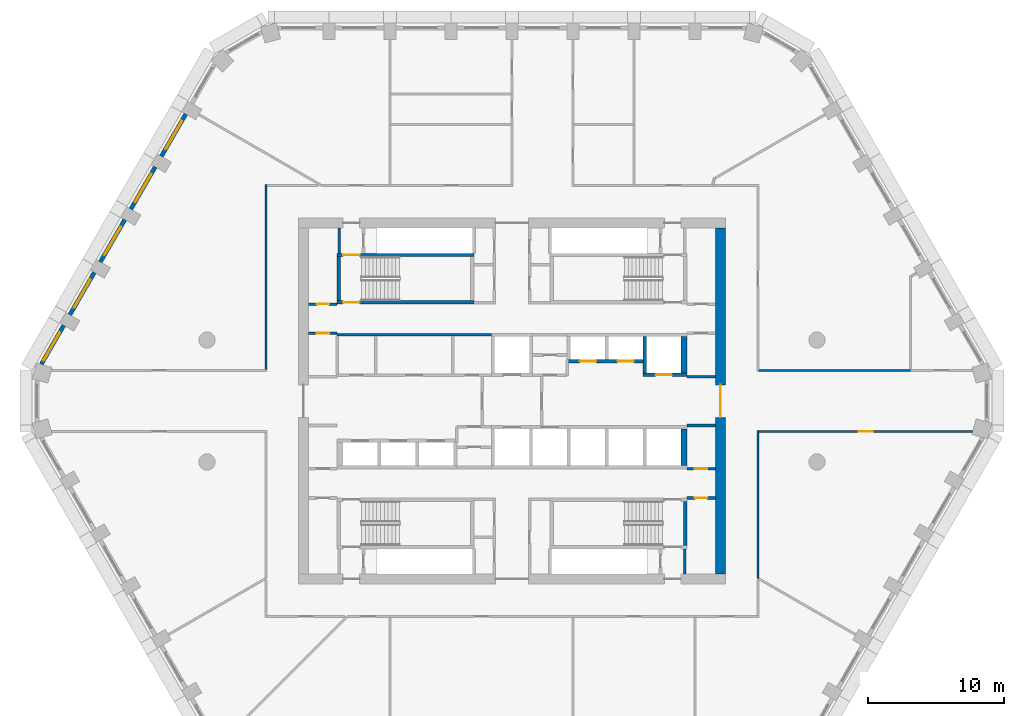
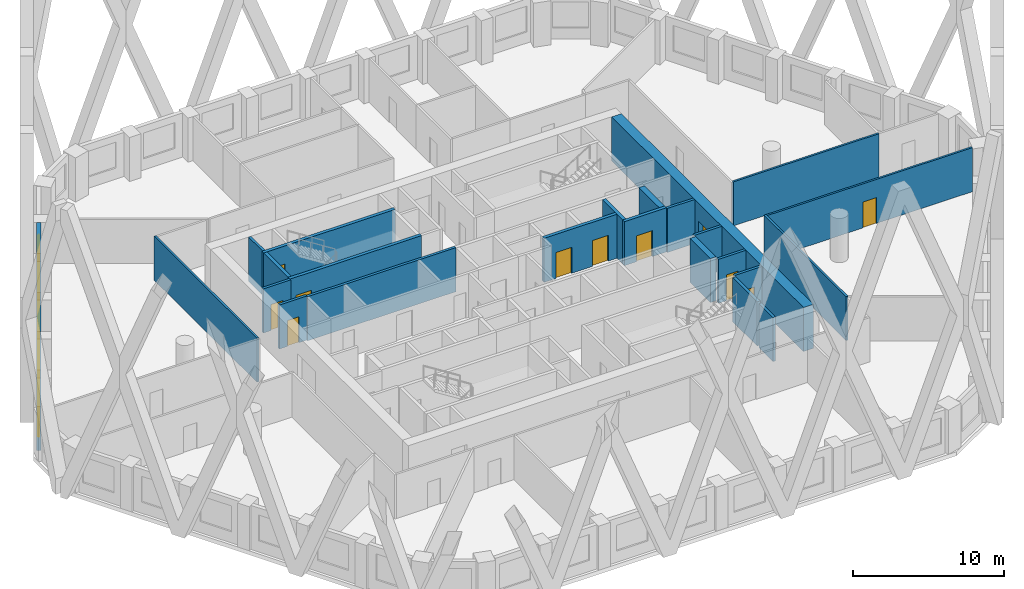
# One storey, part 5 of 17: 28 walls, 11 doors, 5 windows, 16 openings.
"""IFC4 building model written with IfcOpenShell, lengths in metres."""

from ifc_helpers import new_model, si_unit, direction, frame, frame_2d, origin, place, context, subcontext, project, spatial, polyline, rectangle, outline, extrude, material, layer, layer_set, type_object, element, fill, save


model = new_model("IFC4")

# Units and contexts
model_context = context("Model", 3, precision=1e-05, world=origin(), true_north=direction((0.0, 1.0)))
body_context = subcontext(model_context, "Body", "Model", "MODEL_VIEW")
ifc_project = project(units=[si_unit("LENGTHUNIT", "METRE"), si_unit("AREAUNIT", "SQUARE_METRE"), si_unit("VOLUMEUNIT", "CUBIC_METRE"), si_unit("PLANEANGLEUNIT", "RADIAN"), si_unit("MASSUNIT", "GRAM", prefix="KILO")], contexts=[model_context])

# Site, building, storey
site_placement = place(None, origin())
site = spatial("IfcSite", under=ifc_project, at=site_placement, CompositionType="ELEMENT")
building_placement = place(site_placement, origin())
building = spatial("IfcBuilding", under=site, at=building_placement, Name="Dhurran Vertical Campus", CompositionType="ELEMENT")
storey_placement = place(building_placement, frame((0.0, 0.0, 156.0)))
storey = spatial("IfcBuildingStorey", under=building, at=storey_placement, Name="L38", CompositionType="ELEMENT", Elevation=156.0)

# Wall, opening, window
ifc_material_1 = material(Name="Precast concrete C50/60", Category="concrete")
ifc_layer_1 = layer(ifc_material_1, 0.300048828125)
ifc_layer_set_1 = layer_set([ifc_layer_1], Name="Precast concrete C50/60")
wall_type_1 = type_object("IfcWallType", Name="Precast spandrel wall 300", PredefinedType="SOLIDWALL", material=ifc_layer_set_1)
wall_1_placement = place(storey_placement, frame((-24.0693359375, 21.17041015625, 0.0), z_axis=(0.0, 0.0, 1.0), x_axis=(-0.500027802648, -0.866009351323, 0.0)))
wall_1 = element("IfcWall", 1, at=wall_1_placement, inside=storey, type_object=wall_type_1, Name="EW1 L38.33", PredefinedType="SOLIDWALL", context=body_context, shape_type="SweptSolid", body=[
    extrude(rectangle(XDim=3.598876953125, YDim=0.300048828125, at=frame_2d((1.79931640625, 0.0))), origin(), (0.0, 0.0, 1.0), 3.574951171875),
])
opening_1_placement = place(wall_1_placement, frame((0.599609375, 0.0, 0.89990234375)))
opening_1 = element("IfcOpeningElement", 2, at=opening_1_placement, cuts=wall_1, Name="Opening WT1", PredefinedType="OPENING", context=body_context, shape_type="SweptSolid", body=[
    extrude(rectangle(XDim=2.39990234375, YDim=2.10009765625, at=frame_2d((1.199951171875, 1.050048828125))), frame((0.0, 0.159912109375, 0.0), z_axis=(0.0, -1.0, 0.0), x_axis=(1.0, 0.0, 0.0)), (0.0, 0.0, 1.0), 0.320068359375),
])
ifc_material_2 = material(Name="Aluminium frame with solar-control glass", Category="aluminium")
window_type = type_object("IfcWindowType", Name="Punched window 2400 x 2100", PartitioningType="SINGLE_PANEL", PredefinedType="WINDOW", material=ifc_material_2)
window_1_placement = place(opening_1_placement, origin())
window_1 = element("IfcWindow", 3, at=window_1_placement, inside=storey, type_object=window_type, Name="WT1 L38.33", OverallHeight=2.10009765625, OverallWidth=2.39990234375, PartitioningType="SINGLE_PANEL", PredefinedType="WINDOW", context=body_context, shape_type="SweptSolid", body=[
    extrude(rectangle(XDim=2.39990234375, YDim=2.10009765625, at=frame_2d((1.199951171875, 1.050048828125))), frame((0.0, 0.030029296875, 0.0), z_axis=(0.0, -1.0, 0.0), x_axis=(1.0, 0.0, 0.0)), (0.0, 0.0, 1.0), 0.06005859375),
])
fill(opening_1, window_1)

wall_2_placement = place(storey_placement, frame((-26.3193359375, 17.273193359375, 0.0), z_axis=(0.0, 0.0, 1.0), x_axis=(-0.500027802648, -0.866009351323, 0.0)))
wall_2 = element("IfcWall", 4, at=wall_2_placement, inside=storey, type_object=wall_type_1, Name="EW1 L38.34", PredefinedType="SOLIDWALL", context=body_context, shape_type="SweptSolid", body=[
    extrude(rectangle(XDim=3.598876953125, YDim=0.300048828125, at=frame_2d((1.79931640625, 0.0))), origin(), (0.0, 0.0, 1.0), 3.574951171875),
])
opening_2_placement = place(wall_2_placement, frame((0.599609375, 0.0, 0.89990234375)))
opening_2 = element("IfcOpeningElement", 5, at=opening_2_placement, cuts=wall_2, Name="Opening WT1", PredefinedType="OPENING", context=body_context, shape_type="SweptSolid", body=[
    extrude(rectangle(XDim=2.39990234375, YDim=2.10009765625, at=frame_2d((1.199951171875, 1.050048828125))), frame((0.0, 0.159912109375, 0.0), z_axis=(0.0, -1.0, 0.0), x_axis=(1.0, 0.0, 0.0)), (0.0, 0.0, 1.0), 0.320068359375),
])
window_2_placement = place(opening_2_placement, origin())
window_2 = element("IfcWindow", 6, at=window_2_placement, inside=storey, type_object=window_type, Name="WT1 L38.34", OverallHeight=2.10009765625, OverallWidth=2.39990234375, PartitioningType="SINGLE_PANEL", PredefinedType="WINDOW", context=body_context, shape_type="SweptSolid", body=[
    extrude(rectangle(XDim=2.39990234375, YDim=2.10009765625, at=frame_2d((1.199951171875, 1.050048828125))), frame((0.0, 0.030029296875, 0.0), z_axis=(0.0, -1.0, 0.0), x_axis=(1.0, 0.0, 0.0)), (0.0, 0.0, 1.0), 0.06005859375),
])
fill(opening_2, window_2)

wall_3_placement = place(storey_placement, frame((-28.5693359375, 13.376220703125, 0.0), z_axis=(0.0, 0.0, 1.0), x_axis=(-0.500027802648, -0.866009351323, 0.0)))
wall_3 = element("IfcWall", 7, at=wall_3_placement, inside=storey, type_object=wall_type_1, Name="EW1 L38.35", PredefinedType="SOLIDWALL", context=body_context, shape_type="SweptSolid", body=[
    extrude(rectangle(XDim=3.598876953125, YDim=0.300048828125, at=frame_2d((1.79931640625, 0.0))), origin(), (0.0, 0.0, 1.0), 3.574951171875),
])
opening_3_placement = place(wall_3_placement, frame((0.599609375, 0.0, 0.89990234375)))
opening_3 = element("IfcOpeningElement", 8, at=opening_3_placement, cuts=wall_3, Name="Opening WT1", PredefinedType="OPENING", context=body_context, shape_type="SweptSolid", body=[
    extrude(rectangle(XDim=2.39990234375, YDim=2.10009765625, at=frame_2d((1.199951171875, 1.050048828125))), frame((0.0, 0.159912109375, 0.0), z_axis=(0.0, -1.0, 0.0), x_axis=(1.0, 0.0, 0.0)), (0.0, 0.0, 1.0), 0.320068359375),
])
window_3_placement = place(opening_3_placement, origin())
window_3 = element("IfcWindow", 9, at=window_3_placement, inside=storey, type_object=window_type, Name="WT1 L38.35", OverallHeight=2.10009765625, OverallWidth=2.39990234375, PartitioningType="SINGLE_PANEL", PredefinedType="WINDOW", context=body_context, shape_type="SweptSolid", body=[
    extrude(rectangle(XDim=2.39990234375, YDim=2.10009765625, at=frame_2d((1.199951171875, 1.050048828125))), frame((0.0, 0.030029296875, 0.0), z_axis=(0.0, -1.0, 0.0), x_axis=(1.0, 0.0, 0.0)), (0.0, 0.0, 1.0), 0.06005859375),
])
fill(opening_3, window_3)

wall_4_placement = place(storey_placement, frame((-30.8193359375, 9.47900390625, 0.0), z_axis=(0.0, 0.0, 1.0), x_axis=(-0.500027802648, -0.866009351323, 0.0)))
wall_4 = element("IfcWall", 10, at=wall_4_placement, inside=storey, type_object=wall_type_1, Name="EW1 L38.36", PredefinedType="SOLIDWALL", context=body_context, shape_type="SweptSolid", body=[
    extrude(rectangle(XDim=3.598876953125, YDim=0.300048828125, at=frame_2d((1.79931640625, 0.0))), origin(), (0.0, 0.0, 1.0), 3.574951171875),
])
opening_4_placement = place(wall_4_placement, frame((0.599609375, 0.0, 0.89990234375)))
opening_4 = element("IfcOpeningElement", 11, at=opening_4_placement, cuts=wall_4, Name="Opening WT1", PredefinedType="OPENING", context=body_context, shape_type="SweptSolid", body=[
    extrude(rectangle(XDim=2.39990234375, YDim=2.10009765625, at=frame_2d((1.199951171875, 1.050048828125))), frame((0.0, 0.159912109375, 0.0), z_axis=(0.0, -1.0, 0.0), x_axis=(1.0, 0.0, 0.0)), (0.0, 0.0, 1.0), 0.320068359375),
])
window_4_placement = place(opening_4_placement, origin())
window_4 = element("IfcWindow", 12, at=window_4_placement, inside=storey, type_object=window_type, Name="WT1 L38.36", OverallHeight=2.10009765625, OverallWidth=2.39990234375, PartitioningType="SINGLE_PANEL", PredefinedType="WINDOW", context=body_context, shape_type="SweptSolid", body=[
    extrude(rectangle(XDim=2.39990234375, YDim=2.10009765625, at=frame_2d((1.199951171875, 1.050048828125))), frame((0.0, 0.030029296875, 0.0), z_axis=(0.0, -1.0, 0.0), x_axis=(1.0, 0.0, 0.0)), (0.0, 0.0, 1.0), 0.06005859375),
])
fill(opening_4, window_4)

wall_5_placement = place(storey_placement, frame((-33.0693359375, 5.58203125, 0.0), z_axis=(0.0, 0.0, 1.0), x_axis=(-0.499981217486, -0.866036247602, 0.0)))
wall_5 = element("IfcWall", 13, at=wall_5_placement, inside=storey, type_object=wall_type_1, Name="EW1 L38.37", PredefinedType="SOLIDWALL", context=body_context, shape_type="SweptSolid", body=[
    extrude(rectangle(XDim=3.294189453125, YDim=0.300048828125, at=frame_2d((1.64697265625, 0.0))), origin(), (0.0, 0.0, 1.0), 3.574951171875),
])
opening_5_placement = place(wall_5_placement, frame((0.599609375, 0.0, 0.89990234375)))
opening_5 = element("IfcOpeningElement", 14, at=opening_5_placement, cuts=wall_5, Name="Opening WT1", PredefinedType="OPENING", context=body_context, shape_type="SweptSolid", body=[
    extrude(rectangle(XDim=2.39990234375, YDim=2.10009765625, at=frame_2d((1.199951171875, 1.050048828125))), frame((0.0, 0.159912109375, 0.0), z_axis=(0.0, -1.0, 0.0), x_axis=(1.0, 0.0, 0.0)), (0.0, 0.0, 1.0), 0.320068359375),
])
window_5_placement = place(opening_5_placement, origin())
window_5 = element("IfcWindow", 15, at=window_5_placement, inside=storey, type_object=window_type, Name="WT1 L38.37", OverallHeight=2.10009765625, OverallWidth=2.39990234375, PartitioningType="SINGLE_PANEL", PredefinedType="WINDOW", context=body_context, shape_type="SweptSolid", body=[
    extrude(rectangle(XDim=2.39990234375, YDim=2.10009765625, at=frame_2d((1.199951171875, 1.050048828125))), frame((0.0, 0.030029296875, 0.0), z_axis=(0.0, -1.0, 0.0), x_axis=(1.0, 0.0, 0.0)), (0.0, 0.0, 1.0), 0.06005859375),
])
fill(opening_5, window_5)

# Wall, opening, door
ifc_material_3 = material(Name="Concrete C60/75", Category="concrete")
ifc_layer_2 = layer(ifc_material_3, 0.75)
ifc_layer_set_2 = layer_set([ifc_layer_2], Name="Concrete C60/75")
wall_type_2 = type_object("IfcWallType", Name="co-CORE-WALL-C1-750", PredefinedType="SHEAR", material=ifc_layer_set_2)
wall_6_placement = place(storey_placement, frame((15.375, -12.75, 0.0), z_axis=(0.0, 0.0, 1.0), x_axis=(0.0, 1.0, 0.0)))
wall_6 = element("IfcWall", 16, at=wall_6_placement, inside=storey, type_object=wall_type_2, Name="Core wall E L38", PredefinedType="SHEAR", context=body_context, shape_type="SweptSolid", body=[
    extrude(rectangle(XDim=25.5, YDim=0.75, at=frame_2d((12.75, 0.0))), origin(), (0.0, 0.0, 1.0), 3.574951171875),
])
opening_6_placement = place(wall_6_placement, frame((11.550048828125, 0.0, 0.0)))
opening_6 = element("IfcOpeningElement", 17, at=opening_6_placement, cuts=wall_6, Name="Opening CL2", PredefinedType="OPENING", context=body_context, shape_type="SweptSolid", body=[
    extrude(rectangle(XDim=2.39990234375, YDim=2.10009765625, at=frame_2d((1.199951171875, 1.050048828125))), frame((0.0, 0.385009765625, 0.0), z_axis=(0.0, -1.0, 0.0), x_axis=(1.0, 0.0, 0.0)), (0.0, 0.0, 1.0), 0.77001953125),
])
ifc_material_4 = material(Name="Fire-rated glazed door set")
door_type_1 = type_object("IfcDoorType", Name="co-D-LOBBY 2400x2100", OperationType="DOUBLE_DOOR_DOUBLE_SWING", PredefinedType="DOOR", material=ifc_material_4)
door_1_placement = place(opening_6_placement, origin())
door_1 = element("IfcDoor", 18, at=door_1_placement, inside=storey, type_object=door_type_1, Name="Lift lobby door E L38", OperationType="DOUBLE_DOOR_DOUBLE_SWING", OverallHeight=2.10009765625, OverallWidth=2.39990234375, PredefinedType="DOOR", context=body_context, shape_type="SweptSolid", body=[
    extrude(rectangle(XDim=2.39990234375, YDim=2.10009765625, at=frame_2d((1.199951171875, 1.050048828125))), frame((0.0, 0.02490234375, 0.0), z_axis=(0.0, -1.0, 0.0), x_axis=(1.0, 0.0, 0.0)), (0.0, 0.0, 1.0), 0.050048828125),
])
fill(opening_6, door_1)

# Walls
ifc_material_5 = material(Name="Fire-rated masonry blockwork", Category="masonry")
ifc_layer_3 = layer(ifc_material_5, 0.199951171875)
ifc_layer_set_3 = layer_set([ifc_layer_3], Name="Fire-rated masonry blockwork")
wall_type_3 = type_object("IfcWallType", Name="co-FIRE-PARTITION-200", PredefinedType="PARTITIONING", material=ifc_layer_set_3)
for number, where, z_axis, x_axis, name in (
    (19, (-12.75, 10.89990234375, 0.0), (0.0, 0.0, 1.0), (0.0, 1.0, 0.0), "Core partition pass-ST1-o L38"),
    (20, (12.75, -12.75, 0.0), (0.0, 0.0, 1.0), (0.0, 1.0, 0.0), "Core partition pass-ST4-o L38"),
):
    element("IfcWall", number, at=place(storey_placement, frame(where, z_axis=z_axis, x_axis=x_axis)), inside=storey, type_object=wall_type_3, Name=name, PredefinedType="PARTITIONING", context=body_context, shape_type="SweptSolid", body=[
        extrude(rectangle(XDim=1.85009765625, YDim=0.199951171875, at=frame_2d((0.925048828125, 0.0))), origin(), (0.0, 0.0, 1.0), 3.574951171875),
    ])

# Wall, opening, door
wall_7_placement = place(storey_placement, frame((-15.0, 7.14990234375, 0.0), z_axis=(0.0, 0.0, 1.0), x_axis=(1.0, 0.0, 0.0)))
wall_7 = element("IfcWall", 21, at=wall_7_placement, inside=storey, type_object=wall_type_3, Name="Core partition en-NW-w L38", PredefinedType="PARTITIONING", context=body_context, shape_type="SweptSolid", body=[
    extrude(rectangle(XDim=2.10009765625, YDim=0.199951171875, at=frame_2d((1.050048828125, 0.0))), origin(), (0.0, 0.0, 1.0), 3.574951171875),
])
opening_7_placement = place(wall_7_placement, frame((0.60009765625, 0.0, 0.0)))
opening_7 = element("IfcOpeningElement", 22, at=opening_7_placement, cuts=wall_7, Name="Opening T11-C12", PredefinedType="OPENING", context=body_context, shape_type="SweptSolid", body=[
    extrude(rectangle(XDim=0.89990234375, YDim=2.10009765625, at=frame_2d((0.449951171875, 1.050048828125))), frame((0.0, 0.10986328125, 0.0), z_axis=(0.0, -1.0, 0.0), x_axis=(1.0, 0.0, 0.0)), (0.0, 0.0, 1.0), 0.219970703125),
])
ifc_material_6 = material(Name="Fire-rated timber door set", Category="wood")
door_type_2 = type_object("IfcDoorType", Name="co-D-ROOM 900x2100", OperationType="SINGLE_SWING_LEFT", PredefinedType="DOOR", material=ifc_material_6)
door_2_placement = place(opening_7_placement, origin())
door_2 = element("IfcDoor", 23, at=door_2_placement, inside=storey, type_object=door_type_2, Name="Communications room door L38", OperationType="SINGLE_SWING_LEFT", OverallHeight=2.10009765625, OverallWidth=0.89990234375, PredefinedType="DOOR", context=body_context, shape_type="SweptSolid", body=[
    extrude(rectangle(XDim=0.89990234375, YDim=2.10009765625, at=frame_2d((0.449951171875, 1.050048828125))), frame((0.0, 0.02490234375, 0.0), z_axis=(0.0, -1.0, 0.0), x_axis=(1.0, 0.0, 0.0)), (0.0, 0.0, 1.0), 0.050048828125),
])
fill(opening_7, door_2)

wall_8_placement = place(storey_placement, frame((-15.0, 5.0, 0.0), z_axis=(0.0, 0.0, 1.0), x_axis=(1.0, 0.0, 0.0)))
wall_8 = element("IfcWall", 24, at=wall_8_placement, inside=storey, type_object=wall_type_3, Name="Core partition es-NW-w L38", PredefinedType="PARTITIONING", context=body_context, shape_type="SweptSolid", body=[
    extrude(rectangle(XDim=2.10009765625, YDim=0.199951171875, at=frame_2d((1.050048828125, 0.0))), origin(), (0.0, 0.0, 1.0), 3.574951171875),
])
opening_8_placement = place(wall_8_placement, frame((0.60009765625, 0.0, 0.0)))
opening_8 = element("IfcOpeningElement", 25, at=opening_8_placement, cuts=wall_8, Name="Opening T11-C13", PredefinedType="OPENING", context=body_context, shape_type="SweptSolid", body=[
    extrude(rectangle(XDim=0.89990234375, YDim=2.10009765625, at=frame_2d((0.449951171875, 1.050048828125))), frame((0.0, 0.10986328125, 0.0), z_axis=(0.0, -1.0, 0.0), x_axis=(1.0, 0.0, 0.0)), (0.0, 0.0, 1.0), 0.219970703125),
])
door_3_placement = place(opening_8_placement, origin())
door_3 = element("IfcDoor", 26, at=door_3_placement, inside=storey, type_object=door_type_2, Name="Server room door L38", OperationType="SINGLE_SWING_LEFT", OverallHeight=2.10009765625, OverallWidth=0.89990234375, PredefinedType="DOOR", context=body_context, shape_type="SweptSolid", body=[
    extrude(rectangle(XDim=0.89990234375, YDim=2.10009765625, at=frame_2d((0.449951171875, 1.050048828125))), frame((0.0, 0.02490234375, 0.0), z_axis=(0.0, -1.0, 0.0), x_axis=(1.0, 0.0, 0.0)), (0.0, 0.0, 1.0), 0.050048828125),
])
fill(opening_8, door_3)

# Wall
wall_9_placement = place(storey_placement, frame((12.89990234375, 1.800048828125, 0.0), z_axis=(0.0, 0.0, 1.0), x_axis=(1.0, 0.0, 0.0)))
element("IfcWall", 27, at=wall_9_placement, inside=storey, type_object=wall_type_3, Name="Core partition es-NE-l L38", PredefinedType="PARTITIONING", context=body_context, shape_type="SweptSolid", body=[
    extrude(rectangle(XDim=2.10009765625, YDim=0.199951171875, at=frame_2d((1.050048828125, 0.0))), origin(), (0.0, 0.0, 1.0), 3.574951171875),
])

# Wall, opening, door
wall_10_placement = place(storey_placement, frame((12.89990234375, -7.14990234375, 0.0), z_axis=(0.0, 0.0, 1.0), x_axis=(1.0, 0.0, 0.0)))
wall_10 = element("IfcWall", 28, at=wall_10_placement, inside=storey, type_object=wall_type_3, Name="Core partition en-SE-w L38", PredefinedType="PARTITIONING", context=body_context, shape_type="SweptSolid", body=[
    extrude(rectangle(XDim=2.10009765625, YDim=0.199951171875, at=frame_2d((1.050048828125, 0.0))), origin(), (0.0, 0.0, 1.0), 3.574951171875),
])
opening_9_placement = place(wall_10_placement, frame((0.60009765625, 0.0, 0.0)))
opening_9 = element("IfcOpeningElement", 29, at=opening_9_placement, cuts=wall_10, Name="Opening T11-C18", PredefinedType="OPENING", context=body_context, shape_type="SweptSolid", body=[
    extrude(rectangle(XDim=0.89990234375, YDim=2.10009765625, at=frame_2d((0.449951171875, 1.050048828125))), frame((0.0, 0.10986328125, 0.0), z_axis=(0.0, -1.0, 0.0), x_axis=(1.0, 0.0, 0.0)), (0.0, 0.0, 1.0), 0.219970703125),
])
door_4_placement = place(opening_9_placement, origin())
door_4 = element("IfcDoor", 30, at=door_4_placement, inside=storey, type_object=door_type_2, Name="Print room door L38", OperationType="SINGLE_SWING_LEFT", OverallHeight=2.10009765625, OverallWidth=0.89990234375, PredefinedType="DOOR", context=body_context, shape_type="SweptSolid", body=[
    extrude(rectangle(XDim=0.89990234375, YDim=2.10009765625, at=frame_2d((0.449951171875, 1.050048828125))), frame((0.0, 0.02490234375, 0.0), z_axis=(0.0, -1.0, 0.0), x_axis=(1.0, 0.0, 0.0)), (0.0, 0.0, 1.0), 0.050048828125),
])
fill(opening_9, door_4)

wall_11_placement = place(storey_placement, frame((12.89990234375, -5.0, 0.0), z_axis=(0.0, 0.0, 1.0), x_axis=(1.0, 0.0, 0.0)))
wall_11 = element("IfcWall", 31, at=wall_11_placement, inside=storey, type_object=wall_type_3, Name="Core partition es-SE-w L38", PredefinedType="PARTITIONING", context=body_context, shape_type="SweptSolid", body=[
    extrude(rectangle(XDim=2.10009765625, YDim=0.199951171875, at=frame_2d((1.050048828125, 0.0))), origin(), (0.0, 0.0, 1.0), 3.574951171875),
])
opening_10_placement = place(wall_11_placement, frame((0.60009765625, 0.0, 0.0)))
opening_10 = element("IfcOpeningElement", 32, at=opening_10_placement, cuts=wall_11, Name="Opening T11-C19", PredefinedType="OPENING", context=body_context, shape_type="SweptSolid", body=[
    extrude(rectangle(XDim=0.89990234375, YDim=2.10009765625, at=frame_2d((0.449951171875, 1.050048828125))), frame((0.0, 0.10986328125, 0.0), z_axis=(0.0, -1.0, 0.0), x_axis=(1.0, 0.0, 0.0)), (0.0, 0.0, 1.0), 0.219970703125),
])
door_5_placement = place(opening_10_placement, origin())
door_5 = element("IfcDoor", 33, at=door_5_placement, inside=storey, type_object=door_type_2, Name="Pantry door L38", OperationType="SINGLE_SWING_LEFT", OverallHeight=2.10009765625, OverallWidth=0.89990234375, PredefinedType="DOOR", context=body_context, shape_type="SweptSolid", body=[
    extrude(rectangle(XDim=0.89990234375, YDim=2.10009765625, at=frame_2d((0.449951171875, 1.050048828125))), frame((0.0, 0.02490234375, 0.0), z_axis=(0.0, -1.0, 0.0), x_axis=(1.0, 0.0, 0.0)), (0.0, 0.0, 1.0), 0.050048828125),
])
fill(opening_10, door_5)

# Walls
wall_12_placement = place(storey_placement, frame((12.89990234375, -1.800048828125, 0.0), z_axis=(0.0, 0.0, 1.0), x_axis=(1.0, 0.0, 0.0)))
element("IfcWall", 34, at=wall_12_placement, inside=storey, type_object=wall_type_3, Name="Core partition es-SE-l L38", PredefinedType="PARTITIONING", context=body_context, shape_type="SweptSolid", body=[
    extrude(rectangle(XDim=2.10009765625, YDim=0.199951171875, at=frame_2d((1.050048828125, 0.0))), origin(), (0.0, 0.0, 1.0), 3.574951171875),
])
wall_13_placement = place(storey_placement, frame((-12.89990234375, 4.89990234375, 0.0), z_axis=(0.0, 0.0, 1.0), x_axis=(1.0, 0.0, 0.0)))
element("IfcWall", 35, at=wall_13_placement, inside=storey, type_object=wall_type_3, Name="Core partition fr-N0-b L38", PredefinedType="PARTITIONING", context=body_context, shape_type="SweptSolid", body=[
    extrude(rectangle(XDim=11.375, YDim=0.199951171875, at=frame_2d((5.6875, 0.0))), origin(), (0.0, 0.0, 1.0), 3.574951171875),
])

# Wall, openings, doors
ifc_material_7 = material(Name="Concrete C50/60", Category="concrete")
ifc_layer_4 = layer(ifc_material_7, 0.25)
ifc_layer_set_4 = layer_set([ifc_layer_4], Name="Concrete C50/60")
wall_type_4 = type_object("IfcWallType", Name="co-SHAFT-FRONT-250", PredefinedType="SHEAR", material=ifc_layer_set_4)
wall_14_placement = place(storey_placement, frame((4.074951171875, 2.925048828125, 0.0), z_axis=(0.0, 0.0, 1.0), x_axis=(1.0, 0.0, 0.0)))
wall_14 = element("IfcWall", 36, at=wall_14_placement, inside=storey, type_object=wall_type_4, Name="Lift landing wall N L38", PredefinedType="SHEAR", context=body_context, shape_type="SweptSolid", body=[
    extrude(rectangle(XDim=5.85009765625, YDim=0.25, at=frame_2d((2.925048828125, 0.0))), origin(), (0.0, 0.0, 1.0), 3.574951171875),
])
opening_11_placement = place(wall_14_placement, frame((0.925048828125, 0.0, 0.0)))
opening_11 = element("IfcOpeningElement", 37, at=opening_11_placement, cuts=wall_14, Name="Opening LD", PredefinedType="OPENING", context=body_context, shape_type="SweptSolid", body=[
    extrude(rectangle(XDim=1.199951171875, YDim=2.10009765625, at=frame_2d((0.60009765625, 1.050048828125))), frame((0.0, 0.135009765625, 0.0), z_axis=(0.0, -1.0, 0.0), x_axis=(1.0, 0.0, 0.0)), (0.0, 0.0, 1.0), 0.27001953125),
])
opening_12_placement = place(wall_14_placement, frame((3.72509765625, 0.0, 0.0)))
opening_12 = element("IfcOpeningElement", 38, at=opening_12_placement, cuts=wall_14, Name="Opening LD", PredefinedType="OPENING", context=body_context, shape_type="SweptSolid", body=[
    extrude(rectangle(XDim=1.199951171875, YDim=2.10009765625, at=frame_2d((0.60009765625, 1.050048828125))), frame((0.0, 0.135009765625, 0.0), z_axis=(0.0, -1.0, 0.0), x_axis=(1.0, 0.0, 0.0)), (0.0, 0.0, 1.0), 0.27001953125),
])
ifc_material_8 = material(Name="Stainless steel landing door", Category="steel")
door_type_3 = type_object("IfcDoorType", Name="co-D-LANDING 1200x2100", OperationType="DOUBLE_DOOR_SLIDING", PredefinedType="DOOR", material=ifc_material_8)
door_6_placement = place(opening_11_placement, origin())
door_6 = element("IfcDoor", 39, at=door_6_placement, inside=storey, type_object=door_type_3, Name="Landing door MR1 L38", OperationType="DOUBLE_DOOR_SLIDING", OverallHeight=2.10009765625, OverallWidth=1.199951171875, PredefinedType="DOOR", context=body_context, shape_type="SweptSolid", body=[
    extrude(rectangle(XDim=1.199951171875, YDim=2.10009765625, at=frame_2d((0.60009765625, 1.050048828125))), frame((0.0, 0.02490234375, 0.0), z_axis=(0.0, -1.0, 0.0), x_axis=(1.0, 0.0, 0.0)), (0.0, 0.0, 1.0), 0.050048828125),
])
fill(opening_11, door_6)
door_7_placement = place(opening_12_placement, origin())
door_7 = element("IfcDoor", 40, at=door_7_placement, inside=storey, type_object=door_type_3, Name="Landing door MR2 L38", OperationType="DOUBLE_DOOR_SLIDING", OverallHeight=2.10009765625, OverallWidth=1.199951171875, PredefinedType="DOOR", context=body_context, shape_type="SweptSolid", body=[
    extrude(rectangle(XDim=1.199951171875, YDim=2.10009765625, at=frame_2d((0.60009765625, 1.050048828125))), frame((0.0, 0.02490234375, 0.0), z_axis=(0.0, -1.0, 0.0), x_axis=(1.0, 0.0, 0.0)), (0.0, 0.0, 1.0), 0.050048828125),
])
fill(opening_12, door_7)

# Wall, opening, door
wall_15_placement = place(storey_placement, frame((9.675048828125, 1.925048828125, 0.0), z_axis=(0.0, 0.0, 1.0), x_axis=(1.0, 0.0, 0.0)))
wall_15 = element("IfcWall", 41, at=wall_15_placement, inside=storey, type_object=wall_type_4, Name="Lift landing wall N L38", PredefinedType="SHEAR", context=body_context, shape_type="SweptSolid", body=[
    extrude(rectangle(XDim=3.224853515625, YDim=0.25, at=frame_2d((1.6123046875, 0.0))), origin(), (0.0, 0.0, 1.0), 3.574951171875),
])
opening_13_placement = place(wall_15_placement, frame((0.925048828125, 0.0, 0.0)))
opening_13 = element("IfcOpeningElement", 42, at=opening_13_placement, cuts=wall_15, Name="Opening LD", PredefinedType="OPENING", context=body_context, shape_type="SweptSolid", body=[
    extrude(rectangle(XDim=1.199951171875, YDim=2.10009765625, at=frame_2d((0.60009765625, 1.050048828125))), frame((0.0, 0.135009765625, 0.0), z_axis=(0.0, -1.0, 0.0), x_axis=(1.0, 0.0, 0.0)), (0.0, 0.0, 1.0), 0.27001953125),
])
door_8_placement = place(opening_13_placement, origin())
door_8 = element("IfcDoor", 43, at=door_8_placement, inside=storey, type_object=door_type_3, Name="Landing door SV2 L38", OperationType="DOUBLE_DOOR_SLIDING", OverallHeight=2.10009765625, OverallWidth=1.199951171875, PredefinedType="DOOR", context=body_context, shape_type="SweptSolid", body=[
    extrude(rectangle(XDim=1.199951171875, YDim=2.10009765625, at=frame_2d((0.60009765625, 1.050048828125))), frame((0.0, 0.02490234375, 0.0), z_axis=(0.0, -1.0, 0.0), x_axis=(1.0, 0.0, 0.0)), (0.0, 0.0, 1.0), 0.050048828125),
])
fill(opening_13, door_8)

# Walls
ifc_material_9 = material(Name="Concrete C50/60", Category="concrete")
ifc_layer_5 = layer(ifc_material_9, 0.25)
ifc_layer_set_5 = layer_set([ifc_layer_5], Name="Concrete C50/60")
wall_type_5 = type_object("IfcWallType", Name="co-SHAFT-MASS-250", PredefinedType="SHEAR", material=ifc_layer_set_5)
wall_16_placement = place(storey_placement, origin())
element("IfcWall", 44, at=wall_16_placement, inside=storey, type_object=wall_type_5, Name="Lift shaft wall N L38 5", PredefinedType="SHEAR", context=body_context, shape_type="SweptSolid", body=[
    extrude(outline(polyline([(9.675048828125, 2.050048828125), (9.925048828125, 2.050048828125), (9.925048828125, 4.75), (9.675048828125, 4.75), (9.675048828125, 2.050048828125)])), origin(), (0.0, 0.0, 1.0), 3.574951171875),
])
wall_17_placement = place(storey_placement, origin())
element("IfcWall", 45, at=wall_17_placement, inside=storey, type_object=wall_type_5, Name="Lift shaft wall N L38 6", PredefinedType="SHEAR", context=body_context, shape_type="SweptSolid", body=[
    extrude(outline(polyline([(12.47509765625, 2.050048828125), (12.89990234375, 2.050048828125), (12.89990234375, 4.75), (12.47509765625, 4.75), (12.47509765625, 2.050048828125)])), origin(), (0.0, 0.0, 1.0), 3.574951171875),
])
wall_18_placement = place(storey_placement, origin())
element("IfcWall", 46, at=wall_18_placement, inside=storey, type_object=wall_type_5, Name="Lift shaft wall S L38 12", PredefinedType="SHEAR", context=body_context, shape_type="SweptSolid", body=[
    extrude(outline(polyline([(12.47509765625, -4.75), (12.89990234375, -4.75), (12.89990234375, -2.050048828125), (12.47509765625, -2.050048828125), (12.47509765625, -4.75)])), origin(), (0.0, 0.0, 1.0), 3.574951171875),
])

# Wall, opening, door
ifc_material_10 = material(Name="Concrete C40/50", Category="concrete")
ifc_layer_6 = layer(ifc_material_10, 0.25)
ifc_layer_set_6 = layer_set([ifc_layer_6], Name="Concrete C40/50")
wall_type_6 = type_object("IfcWallType", Name="co-STAIR-WALL-250", PredefinedType="SHEAR", material=ifc_layer_set_6)
wall_19_placement = place(storey_placement, frame((-12.89990234375, 7.27490234375, 0.0), z_axis=(0.0, 0.0, 1.0), x_axis=(1.0, 0.0, 0.0)))
wall_19 = element("IfcWall", 47, at=wall_19_placement, inside=storey, type_object=wall_type_6, Name="Stair ST1 enclosure wall L38", PredefinedType="SHEAR", context=body_context, shape_type="SweptSolid", body=[
    extrude(rectangle(XDim=10.099853515625, YDim=0.25, at=frame_2d((5.0498046875, 0.0))), origin(), (0.0, 0.0, 1.0), 3.574951171875),
])
opening_14_placement = place(wall_19_placement, frame((0.449951171875, 0.0, 0.0)))
opening_14 = element("IfcOpeningElement", 48, at=opening_14_placement, cuts=wall_19, Name="Opening SD1", PredefinedType="OPENING", context=body_context, shape_type="SweptSolid", body=[
    extrude(rectangle(XDim=1.199951171875, YDim=2.10009765625, at=frame_2d((0.60009765625, 1.050048828125))), frame((0.0, 0.135009765625, 0.0), z_axis=(0.0, -1.0, 0.0), x_axis=(1.0, 0.0, 0.0)), (0.0, 0.0, 1.0), 0.27001953125),
])
ifc_material_11 = material(Name="Fire-rated steel door set", Category="steel")
door_type_4 = type_object("IfcDoorType", Name="co-D-STAIR 1200x2100", OperationType="SINGLE_SWING_LEFT", PredefinedType="DOOR", material=ifc_material_11)
door_9_placement = place(opening_14_placement, origin())
door_9 = element("IfcDoor", 49, at=door_9_placement, inside=storey, type_object=door_type_4, Name="Stair ST1 door L38", OperationType="SINGLE_SWING_LEFT", OverallHeight=2.10009765625, OverallWidth=1.199951171875, PredefinedType="DOOR", context=body_context, shape_type="SweptSolid", body=[
    extrude(rectangle(XDim=1.199951171875, YDim=2.10009765625, at=frame_2d((0.60009765625, 1.050048828125))), frame((0.0, 0.02490234375, 0.0), z_axis=(0.0, -1.0, 0.0), x_axis=(1.0, 0.0, 0.0)), (0.0, 0.0, 1.0), 0.050048828125),
])
fill(opening_14, door_9)

wall_20_placement = place(storey_placement, frame((-12.89990234375, 10.77490234375, 0.0), z_axis=(0.0, 0.0, 1.0), x_axis=(1.0, 0.0, 0.0)))
wall_20 = element("IfcWall", 50, at=wall_20_placement, inside=storey, type_object=wall_type_6, Name="Stair ST1 enclosure wall L38", PredefinedType="SHEAR", context=body_context, shape_type="SweptSolid", body=[
    extrude(rectangle(XDim=10.099853515625, YDim=0.25, at=frame_2d((5.0498046875, 0.0))), origin(), (0.0, 0.0, 1.0), 3.574951171875),
])
opening_15_placement = place(wall_20_placement, frame((0.449951171875, 0.0, 0.0)))
opening_15 = element("IfcOpeningElement", 51, at=opening_15_placement, cuts=wall_20, Name="Opening XS1", PredefinedType="OPENING", context=body_context, shape_type="SweptSolid", body=[
    extrude(rectangle(XDim=1.199951171875, YDim=2.10009765625, at=frame_2d((0.60009765625, 1.050048828125))), frame((0.0, 0.135009765625, 0.0), z_axis=(0.0, -1.0, 0.0), x_axis=(1.0, 0.0, 0.0)), (0.0, 0.0, 1.0), 0.27001953125),
])
ifc_material_12 = material(Name="Fire-rated steel door set", Category="steel")
door_type_5 = type_object("IfcDoorType", Name="co-D-STAIR-EXIT 1200x2100", OperationType="SINGLE_SWING_RIGHT", PredefinedType="DOOR", material=ifc_material_12)
door_10_placement = place(opening_15_placement, origin())
door_10 = element("IfcDoor", 52, at=door_10_placement, inside=storey, type_object=door_type_5, Name="Stair ST1 discharge door L38", OperationType="SINGLE_SWING_RIGHT", OverallHeight=2.10009765625, OverallWidth=1.199951171875, PredefinedType="DOOR", context=body_context, shape_type="SweptSolid", body=[
    extrude(rectangle(XDim=1.199951171875, YDim=2.10009765625, at=frame_2d((0.60009765625, 1.050048828125))), frame((0.0, 0.02490234375, 0.0), z_axis=(0.0, -1.0, 0.0), x_axis=(1.0, 0.0, 0.0)), (0.0, 0.0, 1.0), 0.050048828125),
])
fill(opening_15, door_10)

# Walls
for number, where, z_axis, x_axis, name in (
    (53, (-12.77490234375, 7.39990234375, 0.0), (0.0, 0.0, 1.0), (0.0, 1.0, 0.0), "Stair ST1 enclosure wall L38"),
    (54, (12.77490234375, -10.64990234375, 0.0), (0.0, 0.0, 1.0), (0.0, 1.0, 0.0), "Stair ST4 enclosure wall L38"),
):
    element("IfcWall", number, at=place(storey_placement, frame(where, z_axis=z_axis, x_axis=x_axis)), inside=storey, type_object=wall_type_6, Name=name, PredefinedType="SHEAR", context=body_context, shape_type="SweptSolid", body=[
        extrude(rectangle(XDim=3.25, YDim=0.25, at=frame_2d((1.625, 0.0))), origin(), (0.0, 0.0, 1.0), 3.574951171875),
    ])
ifc_material_13 = material(Name="Gypsum board corridor wall on steel studs", Category="steel")
ifc_layer_7 = layer(ifc_material_13, 0.14990234375)
ifc_layer_set_7 = layer_set([ifc_layer_7], Name="Gypsum board corridor wall on steel studs")
wall_type_7 = type_object("IfcWallType", Name="fl-CW-150 corridor wall", PredefinedType="PARTITIONING", material=ifc_layer_set_7)
wall_21_placement = place(storey_placement, frame((-18.14990234375, 15.97509765625, 0.0), z_axis=(0.0, 0.0, 1.0), x_axis=(0.0, -1.0, 0.0)))
element("IfcWall", 55, at=wall_21_placement, inside=storey, type_object=wall_type_7, Name="Partition 38-09", PredefinedType="PARTITIONING", context=body_context, shape_type="SweptSolid", body=[
    extrude(rectangle(XDim=13.650146484375, YDim=0.14990234375, at=frame_2d((6.8251953125, 0.0))), origin(), (0.0, 0.0, 1.0), 3.574951171875),
])
wall_22_placement = place(storey_placement, frame((18.14990234375, -13.076904296875, 0.0), z_axis=(0.0, 0.0, 1.0), x_axis=(0.0, 1.0, 0.0)))
element("IfcWall", 56, at=wall_22_placement, inside=storey, type_object=wall_type_7, Name="Partition 38-39", PredefinedType="PARTITIONING", context=body_context, shape_type="SweptSolid", body=[
    extrude(rectangle(XDim=10.90185546875, YDim=0.14990234375, at=frame_2d((5.450927734375, 0.0))), origin(), (0.0, 0.0, 1.0), 3.574951171875),
])

# Wall, opening, door
wall_23_placement = place(storey_placement, frame((33.9677734375, -2.25, 0.0), z_axis=(0.0, 0.0, 1.0), x_axis=(-1.0, 0.0, 0.0)))
wall_23 = element("IfcWall", 57, at=wall_23_placement, inside=storey, type_object=wall_type_7, Name="Partition 38-41", PredefinedType="PARTITIONING", context=body_context, shape_type="SweptSolid", body=[
    extrude(rectangle(XDim=15.74267578125, YDim=0.14990234375, at=frame_2d((7.871337890625, 0.0))), origin(), (0.0, 0.0, 1.0), 3.574951171875),
])
opening_16_placement = place(wall_23_placement, frame((7.371337890625, 0.0, 0.0)))
opening_16 = element("IfcOpeningElement", 58, at=opening_16_placement, cuts=wall_23, Name="Opening T11.16", PredefinedType="OPENING", context=body_context, shape_type="SweptSolid", body=[
    extrude(rectangle(XDim=1.0, YDim=2.10009765625, at=frame_2d((0.5, 1.050048828125))), frame((0.0, 0.0849609375, 0.0), z_axis=(0.0, -1.0, 0.0), x_axis=(1.0, 0.0, 0.0)), (0.0, 0.0, 1.0), 0.169921875),
])
ifc_material_14 = material(Name="Solid-core timber door set, fire-rated", Category="wood")
door_type_6 = type_object("IfcDoorType", Name="fl-D-1000x2100", OperationType="SINGLE_SWING_LEFT", PredefinedType="DOOR", material=ifc_material_14)
door_11_placement = place(opening_16_placement, origin())
door_11 = element("IfcDoor", 59, at=door_11_placement, inside=storey, type_object=door_type_6, Name="Door 38.16", OperationType="SINGLE_SWING_RIGHT", OverallHeight=2.10009765625, OverallWidth=1.0, PredefinedType="DOOR", context=body_context, shape_type="SweptSolid", body=[
    extrude(rectangle(XDim=1.0, YDim=2.10009765625, at=frame_2d((0.5, 1.050048828125))), frame((0.0, 0.02490234375, 0.0), z_axis=(0.0, -1.0, 0.0), x_axis=(1.0, 0.0, 0.0)), (0.0, 0.0, 1.0), 0.050048828125),
])
fill(opening_16, door_11)

# Wall
wall_24_placement = place(storey_placement, frame((18.22509765625, 2.25, 0.0), z_axis=(0.0, 0.0, 1.0), x_axis=(1.0, 0.0, 0.0)))
element("IfcWall", 60, at=wall_24_placement, inside=storey, type_object=wall_type_7, Name="Partition 38-43", PredefinedType="PARTITIONING", context=body_context, shape_type="SweptSolid", body=[
    extrude(rectangle(XDim=11.1748046875, YDim=0.14990234375, at=frame_2d((5.58740234375, 0.0))), origin(), (0.0, 0.0, 1.0), 3.574951171875),
])

save(model, "model.ifc")
